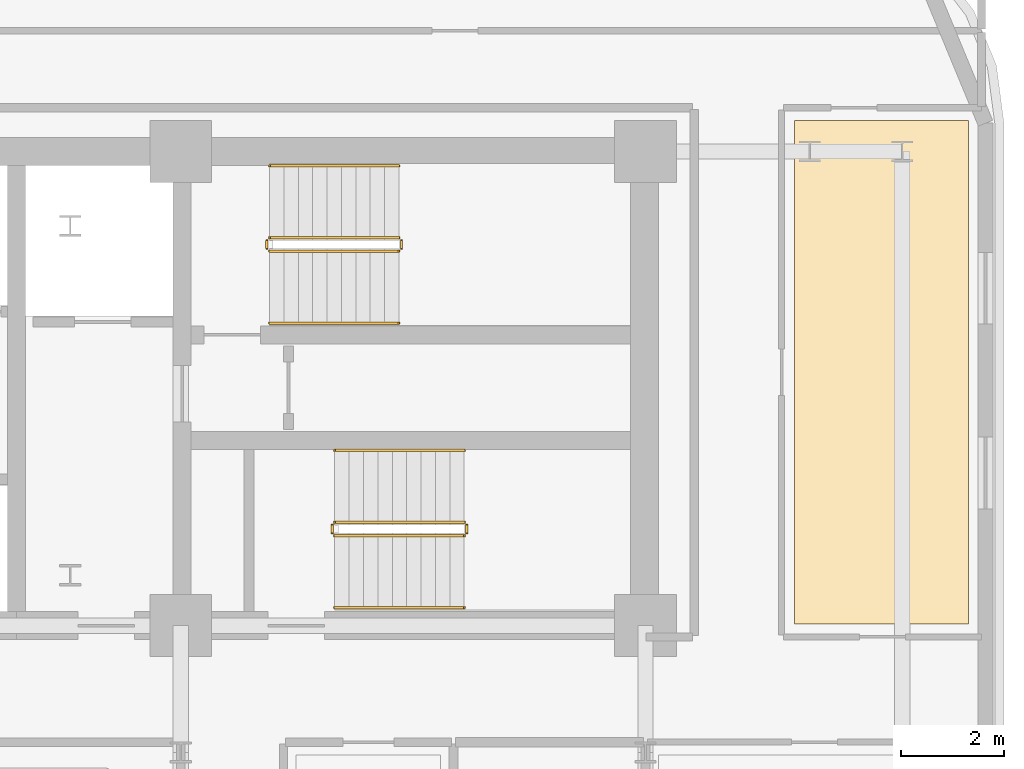
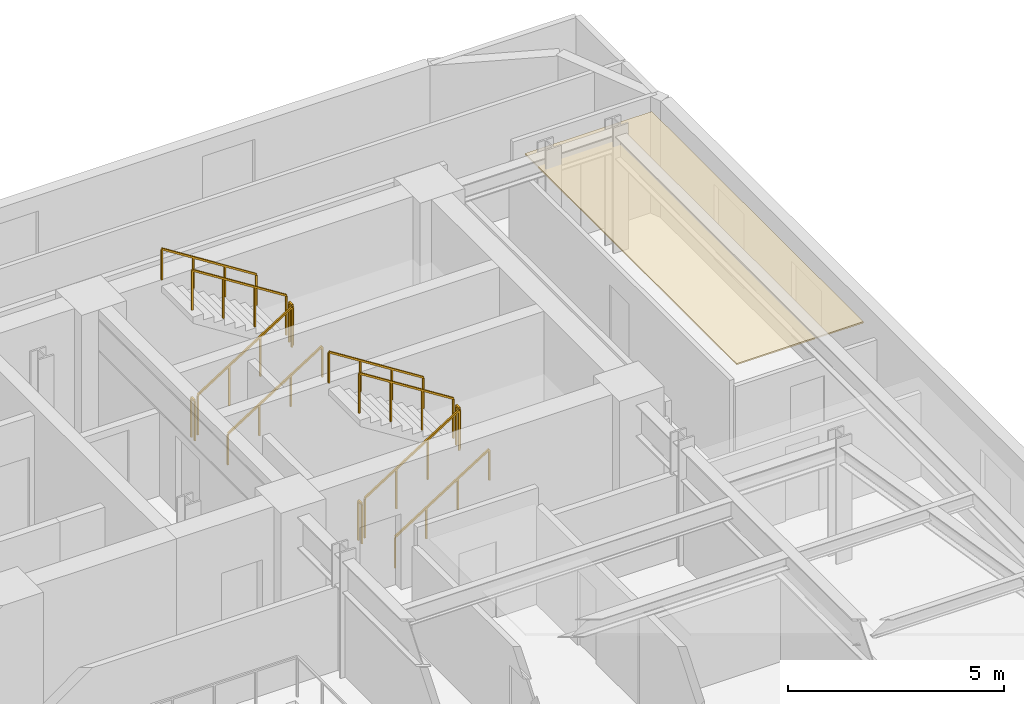
# One storey, part 13 of 13: 12 railings, 1 covering.
"""IFC4 building model written with IfcOpenShell, lengths in metres."""

from ifc_helpers import new_model, si_unit, direction, frame, origin, origin_2d, place, context, subcontext, project, spatial, polyline, rectangle, outline, extrude, material, layer, layer_set, type_object, element, save


model = new_model("IFC4")

# Units and contexts
model_context = context("Model", 3, precision=1e-05, world=origin(), true_north=direction((0.0, 1.0)))
body_context = subcontext(model_context, "Body", "Model", "MODEL_VIEW")
ifc_project = project(units=[si_unit("LENGTHUNIT", "METRE"), si_unit("AREAUNIT", "SQUARE_METRE"), si_unit("VOLUMEUNIT", "CUBIC_METRE"), si_unit("PLANEANGLEUNIT", "RADIAN"), si_unit("MASSUNIT", "GRAM", prefix="KILO")], contexts=[model_context])

# Site, building, storey
site_placement = place(None, origin())
site = spatial("IfcSite", under=ifc_project, at=site_placement, CompositionType="ELEMENT")
building_placement = place(site_placement, origin())
building = spatial("IfcBuilding", under=site, at=building_placement, Name="Zarnavel Station Tower", CompositionType="ELEMENT")
storey_placement = place(building_placement, frame((0.0, 0.0, 176.75)))
storey = spatial("IfcBuildingStorey", under=building, at=storey_placement, Name="L48", CompositionType="ELEMENT", Elevation=176.75)

# Covering
ifc_material_1 = material(Name="Perforated Gypsum and Mineral-Wool Acoustic Ceiling", Category="concrete")
ifc_layer = layer(ifc_material_1, 0.0400390625)
ifc_layer_set = layer_set([ifc_layer], Name="COV_CEIL_ACOUSTIC")
covering_type = type_object("IfcCoveringType", Name="COV_CEIL_ACOUSTIC", PredefinedType="CEILING", material=ifc_layer_set)
covering_placement = place(storey_placement, frame((0.0, 0.0, 2.969970703125)))
element("IfcCovering", 1, at=covering_placement, inside=storey, type_object=covering_type, Name="L48 FNE Acoustic Ceiling", PredefinedType="CEILING", context=body_context, shape_type="SweptSolid", body=[
    extrude(outline(polyline([(48.300048828125, 27.85009765625), (51.68994140625, 27.85009765625), (51.68994140625, 37.64990234375), (48.300048828125, 37.64990234375), (48.300048828125, 27.85009765625)])), origin(), (0.0, 0.0, 1.0), 0.0400390625),
])

# Railings
ifc_material_2 = material(Name="Painted Steel S355J2 Balustrade", Category="steel")
railing_type_1 = type_object("IfcRailingType", Name="GR_INT_1150", PredefinedType="GUARDRAIL", material=ifc_material_2)
railing_1_placement = place(storey_placement, frame((38.080078125, 35.110107421875, 0.177490234375)))
element("IfcRailing", 2, at=railing_1_placement, inside=storey, type_object=railing_type_1, Name="L48 ST2 stair guard 1", PredefinedType="GUARDRAIL", context=body_context, shape_type="SweptSolid", body=[
    extrude(rectangle(XDim=0.048095703125, YDim=0.048095703125, at=origin_2d()), frame((0.001708984375, 0.0, 1.126953125), z_axis=(0.84460694969, 0.0, 0.535386869969), x_axis=(0.0, 1.0, 0.0)), (0.0, 0.0, 1.0), 2.979736328125),
    extrude(rectangle(XDim=0.0419921875, YDim=0.0419921875, at=origin_2d()), origin(), (0.0, 0.0, 1.0), 1.101806640625),
    extrude(rectangle(XDim=0.0419921875, YDim=0.0419921875, at=origin_2d()), frame((0.840087890625, 0.0, 0.532470703125)), (0.0, 0.0, 1.0), 1.101806640625),
    extrude(rectangle(XDim=0.0419921875, YDim=0.0419921875, at=origin_2d()), frame((1.679931640625, 0.0, 1.06494140625)), (0.0, 0.0, 1.0), 1.101806640625),
    extrude(rectangle(XDim=0.0419921875, YDim=0.0419921875, at=origin_2d()), frame((2.52001953125, 0.0, 1.597412109375)), (0.0, 0.0, 1.0), 1.101806640625),
])
railing_2_placement = place(storey_placement, frame((40.64990234375, 35.159912109375, 1.77490234375)))
element("IfcRailing", 3, at=railing_2_placement, inside=storey, type_object=railing_type_1, Name="L48 ST2 stair guard 2", PredefinedType="GUARDRAIL", context=body_context, shape_type="SweptSolid", body=[
    extrude(rectangle(XDim=0.048095703125, YDim=0.048095703125, at=origin_2d()), frame((0.0, 0.001953125, 1.1259765625), z_axis=(0.0, 1.0, 0.0), x_axis=(-1.0, 0.0, 0.0)), (0.0, 0.0, 1.0), 0.15625),
    extrude(rectangle(XDim=0.0419921875, YDim=0.0419921875, at=origin_2d()), origin(), (0.0, 0.0, 1.0), 1.101806640625),
    extrude(rectangle(XDim=0.0419921875, YDim=0.0419921875, at=origin_2d()), frame((0.0, 0.16015625, 0.0)), (0.0, 0.0, 1.0), 1.101806640625),
])
railing_3_placement = place(storey_placement, frame((40.60009765625, 35.3701171875, 1.952392578125)))
element("IfcRailing", 4, at=railing_3_placement, inside=storey, type_object=railing_type_1, Name="L48 ST2 stair guard 3", PredefinedType="GUARDRAIL", context=body_context, shape_type="SweptSolid", body=[
    extrude(rectangle(XDim=0.048095703125, YDim=0.048095703125, at=origin_2d()), frame((-0.001708984375, 0.0, 1.126953125), z_axis=(-0.84456994832, 0.0, 0.535445237532), x_axis=(0.0, -1.0, 0.0)), (0.0, 0.0, 1.0), 2.979736328125),
    extrude(rectangle(XDim=0.0419921875, YDim=0.0419921875, at=origin_2d()), origin(), (0.0, 0.0, 1.0), 1.101806640625),
    extrude(rectangle(XDim=0.0419921875, YDim=0.0419921875, at=origin_2d()), frame((-0.840087890625, 0.0, 0.532470703125)), (0.0, 0.0, 1.0), 1.101806640625),
    extrude(rectangle(XDim=0.0419921875, YDim=0.0419921875, at=origin_2d()), frame((-1.679931640625, 0.0, 1.065185546875)), (0.0, 0.0, 1.0), 1.101806640625),
    extrude(rectangle(XDim=0.0419921875, YDim=0.0419921875, at=origin_2d()), frame((-2.52001953125, 0.0, 1.59765625)), (0.0, 0.0, 1.0), 1.101806640625),
])
railing_4_placement = place(storey_placement, frame((38.030029296875, 35.159912109375, 0.0)))
element("IfcRailing", 5, at=railing_4_placement, inside=storey, type_object=railing_type_1, Name="L48 ST2 stair guard 4", PredefinedType="GUARDRAIL", context=body_context, shape_type="SweptSolid", body=[
    extrude(rectangle(XDim=0.048095703125, YDim=0.048095703125, at=origin_2d()), frame((0.0, 0.001953125, 1.1259765625), z_axis=(0.0, 1.0, 0.0), x_axis=(-1.0, 0.0, 0.0)), (0.0, 0.0, 1.0), 0.15625),
    extrude(rectangle(XDim=0.0419921875, YDim=0.0419921875, at=origin_2d()), origin(), (0.0, 0.0, 1.0), 1.101806640625),
    extrude(rectangle(XDim=0.0419921875, YDim=0.0419921875, at=origin_2d()), frame((0.0, 0.16015625, 0.0)), (0.0, 0.0, 1.0), 1.101806640625),
])
railing_5_placement = place(storey_placement, frame((39.35009765625, 29.570068359375, 0.177490234375)))
element("IfcRailing", 6, at=railing_5_placement, inside=storey, type_object=railing_type_1, Name="L48 ST3 stair guard 1", PredefinedType="GUARDRAIL", context=body_context, shape_type="SweptSolid", body=[
    extrude(rectangle(XDim=0.048095703125, YDim=0.048095703125, at=origin_2d()), frame((0.001708984375, 0.0, 1.126953125), z_axis=(0.84460694969, 0.0, 0.535386869969), x_axis=(0.0, 1.0, 0.0)), (0.0, 0.0, 1.0), 2.979736328125),
    extrude(rectangle(XDim=0.0419921875, YDim=0.0419921875, at=origin_2d()), origin(), (0.0, 0.0, 1.0), 1.101806640625),
    extrude(rectangle(XDim=0.0419921875, YDim=0.0419921875, at=origin_2d()), frame((0.840087890625, 0.0, 0.532470703125)), (0.0, 0.0, 1.0), 1.101806640625),
    extrude(rectangle(XDim=0.0419921875, YDim=0.0419921875, at=origin_2d()), frame((1.679931640625, 0.0, 1.06494140625)), (0.0, 0.0, 1.0), 1.101806640625),
    extrude(rectangle(XDim=0.0419921875, YDim=0.0419921875, at=origin_2d()), frame((2.52001953125, 0.0, 1.597412109375)), (0.0, 0.0, 1.0), 1.101806640625),
])
railing_6_placement = place(storey_placement, frame((41.919921875, 29.6201171875, 1.77490234375)))
element("IfcRailing", 7, at=railing_6_placement, inside=storey, type_object=railing_type_1, Name="L48 ST3 stair guard 2", PredefinedType="GUARDRAIL", context=body_context, shape_type="SweptSolid", body=[
    extrude(rectangle(XDim=0.048095703125, YDim=0.048095703125, at=origin_2d()), frame((0.0, 0.001953125, 1.1259765625), z_axis=(0.0, 1.0, 0.0), x_axis=(-1.0, 0.0, 0.0)), (0.0, 0.0, 1.0), 0.156005859375),
    extrude(rectangle(XDim=0.0419921875, YDim=0.0419921875, at=origin_2d()), origin(), (0.0, 0.0, 1.0), 1.101806640625),
    extrude(rectangle(XDim=0.0419921875, YDim=0.0419921875, at=origin_2d()), frame((0.0, 0.159912109375, 0.0)), (0.0, 0.0, 1.0), 1.101806640625),
])
railing_7_placement = place(storey_placement, frame((41.8701171875, 29.830078125, 1.952392578125)))
element("IfcRailing", 8, at=railing_7_placement, inside=storey, type_object=railing_type_1, Name="L48 ST3 stair guard 3", PredefinedType="GUARDRAIL", context=body_context, shape_type="SweptSolid", body=[
    extrude(rectangle(XDim=0.048095703125, YDim=0.048095703125, at=origin_2d()), frame((-0.001708984375, 0.0, 1.126953125), z_axis=(-0.84456994832, 0.0, 0.535445237532), x_axis=(0.0, -1.0, 0.0)), (0.0, 0.0, 1.0), 2.979736328125),
    extrude(rectangle(XDim=0.0419921875, YDim=0.0419921875, at=origin_2d()), origin(), (0.0, 0.0, 1.0), 1.101806640625),
    extrude(rectangle(XDim=0.0419921875, YDim=0.0419921875, at=origin_2d()), frame((-0.840087890625, 0.0, 0.532470703125)), (0.0, 0.0, 1.0), 1.101806640625),
    extrude(rectangle(XDim=0.0419921875, YDim=0.0419921875, at=origin_2d()), frame((-1.679931640625, 0.0, 1.065185546875)), (0.0, 0.0, 1.0), 1.101806640625),
    extrude(rectangle(XDim=0.0419921875, YDim=0.0419921875, at=origin_2d()), frame((-2.52001953125, 0.0, 1.59765625)), (0.0, 0.0, 1.0), 1.101806640625),
])
railing_8_placement = place(storey_placement, frame((39.300048828125, 29.6201171875, 0.0)))
element("IfcRailing", 9, at=railing_8_placement, inside=storey, type_object=railing_type_1, Name="L48 ST3 stair guard 4", PredefinedType="GUARDRAIL", context=body_context, shape_type="SweptSolid", body=[
    extrude(rectangle(XDim=0.048095703125, YDim=0.048095703125, at=origin_2d()), frame((0.0, 0.001953125, 1.1259765625), z_axis=(0.0, 1.0, 0.0), x_axis=(-1.0, 0.0, 0.0)), (0.0, 0.0, 1.0), 0.156005859375),
    extrude(rectangle(XDim=0.0419921875, YDim=0.0419921875, at=origin_2d()), origin(), (0.0, 0.0, 1.0), 1.101806640625),
    extrude(rectangle(XDim=0.0419921875, YDim=0.0419921875, at=origin_2d()), frame((0.0, 0.159912109375, 0.0)), (0.0, 0.0, 1.0), 1.101806640625),
])
ifc_material_3 = material(Name="Brushed Stainless Steel S355J2 Handrail", Category="steel")
railing_type_2 = type_object("IfcRailingType", Name="HR_STAIR_900", PredefinedType="HANDRAIL", material=ifc_material_3)
railing_9_placement = place(storey_placement, frame((38.080078125, 33.7099609375, 0.177490234375)))
element("IfcRailing", 10, at=railing_9_placement, inside=storey, type_object=railing_type_2, Name="L48 ST2 stair handrail 1", PredefinedType="HANDRAIL", context=body_context, shape_type="SweptSolid", body=[
    extrude(rectangle(XDim=0.048095703125, YDim=0.048095703125, at=origin_2d()), frame((0.001708984375, 0.0, 0.876953125), z_axis=(0.84460694969, 0.0, 0.535386869969), x_axis=(0.0, 1.0, 0.0)), (0.0, 0.0, 1.0), 2.979736328125),
    extrude(rectangle(XDim=0.0419921875, YDim=0.0419921875, at=origin_2d()), origin(), (0.0, 0.0, 1.0), 0.851806640625),
    extrude(rectangle(XDim=0.0419921875, YDim=0.0419921875, at=origin_2d()), frame((0.840087890625, 0.0, 0.532470703125)), (0.0, 0.0, 1.0), 0.851806640625),
    extrude(rectangle(XDim=0.0419921875, YDim=0.0419921875, at=origin_2d()), frame((1.679931640625, 0.0, 1.06494140625)), (0.0, 0.0, 1.0), 0.851806640625),
    extrude(rectangle(XDim=0.0419921875, YDim=0.0419921875, at=origin_2d()), frame((2.52001953125, 0.0, 1.597412109375)), (0.0, 0.0, 1.0), 0.851806640625),
])
railing_10_placement = place(storey_placement, frame((40.60009765625, 36.77001953125, 1.952392578125)))
element("IfcRailing", 11, at=railing_10_placement, inside=storey, type_object=railing_type_2, Name="L48 ST2 stair handrail 2", PredefinedType="HANDRAIL", context=body_context, shape_type="SweptSolid", body=[
    extrude(rectangle(XDim=0.048095703125, YDim=0.048095703125, at=origin_2d()), frame((-0.001708984375, 0.0, 0.876953125), z_axis=(-0.84456994832, 0.0, 0.535445237532), x_axis=(0.0, -1.0, 0.0)), (0.0, 0.0, 1.0), 2.979736328125),
    extrude(rectangle(XDim=0.0419921875, YDim=0.0419921875, at=origin_2d()), origin(), (0.0, 0.0, 1.0), 0.851806640625),
    extrude(rectangle(XDim=0.0419921875, YDim=0.0419921875, at=origin_2d()), frame((-0.840087890625, 0.0, 0.532470703125)), (0.0, 0.0, 1.0), 0.851806640625),
    extrude(rectangle(XDim=0.0419921875, YDim=0.0419921875, at=origin_2d()), frame((-1.679931640625, 0.0, 1.065185546875)), (0.0, 0.0, 1.0), 0.851806640625),
    extrude(rectangle(XDim=0.0419921875, YDim=0.0419921875, at=origin_2d()), frame((-2.52001953125, 0.0, 1.59765625)), (0.0, 0.0, 1.0), 0.851806640625),
])
railing_11_placement = place(storey_placement, frame((39.35009765625, 28.169921875, 0.177490234375)))
element("IfcRailing", 12, at=railing_11_placement, inside=storey, type_object=railing_type_2, Name="L48 ST3 stair handrail 1", PredefinedType="HANDRAIL", context=body_context, shape_type="SweptSolid", body=[
    extrude(rectangle(XDim=0.048095703125, YDim=0.048095703125, at=origin_2d()), frame((0.001708984375, 0.0, 0.876953125), z_axis=(0.84460694969, 0.0, 0.535386869969), x_axis=(0.0, 1.0, 0.0)), (0.0, 0.0, 1.0), 2.979736328125),
    extrude(rectangle(XDim=0.0419921875, YDim=0.0419921875, at=origin_2d()), origin(), (0.0, 0.0, 1.0), 0.851806640625),
    extrude(rectangle(XDim=0.0419921875, YDim=0.0419921875, at=origin_2d()), frame((0.840087890625, 0.0, 0.532470703125)), (0.0, 0.0, 1.0), 0.851806640625),
    extrude(rectangle(XDim=0.0419921875, YDim=0.0419921875, at=origin_2d()), frame((1.679931640625, 0.0, 1.06494140625)), (0.0, 0.0, 1.0), 0.851806640625),
    extrude(rectangle(XDim=0.0419921875, YDim=0.0419921875, at=origin_2d()), frame((2.52001953125, 0.0, 1.597412109375)), (0.0, 0.0, 1.0), 0.851806640625),
])
railing_12_placement = place(storey_placement, frame((41.8701171875, 31.22998046875, 1.952392578125)))
element("IfcRailing", 13, at=railing_12_placement, inside=storey, type_object=railing_type_2, Name="L48 ST3 stair handrail 2", PredefinedType="HANDRAIL", context=body_context, shape_type="SweptSolid", body=[
    extrude(rectangle(XDim=0.048095703125, YDim=0.048095703125, at=origin_2d()), frame((-0.001708984375, 0.0, 0.876953125), z_axis=(-0.84456994832, 0.0, 0.535445237532), x_axis=(0.0, -1.0, 0.0)), (0.0, 0.0, 1.0), 2.979736328125),
    extrude(rectangle(XDim=0.0419921875, YDim=0.0419921875, at=origin_2d()), origin(), (0.0, 0.0, 1.0), 0.851806640625),
    extrude(rectangle(XDim=0.0419921875, YDim=0.0419921875, at=origin_2d()), frame((-0.840087890625, 0.0, 0.532470703125)), (0.0, 0.0, 1.0), 0.851806640625),
    extrude(rectangle(XDim=0.0419921875, YDim=0.0419921875, at=origin_2d()), frame((-1.679931640625, 0.0, 1.065185546875)), (0.0, 0.0, 1.0), 0.851806640625),
    extrude(rectangle(XDim=0.0419921875, YDim=0.0419921875, at=origin_2d()), frame((-2.52001953125, 0.0, 1.59765625)), (0.0, 0.0, 1.0), 0.851806640625),
])

save(model, "model.ifc")
